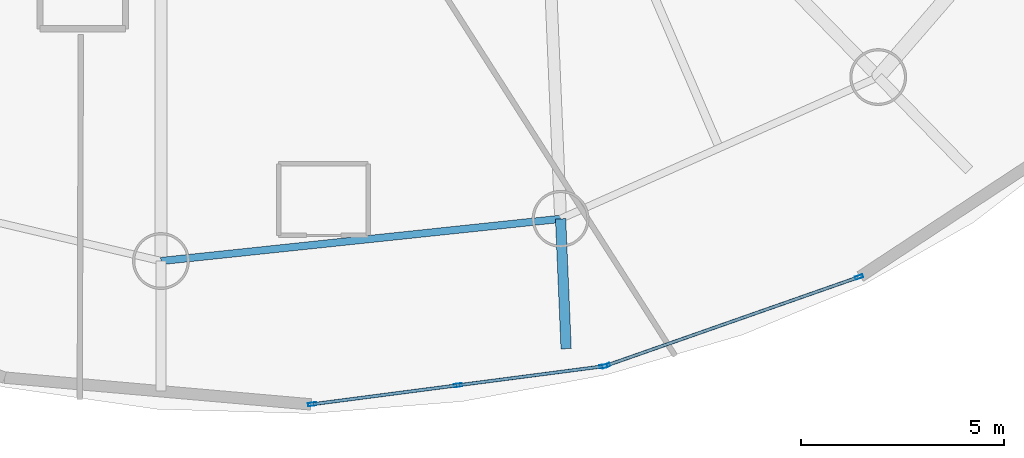
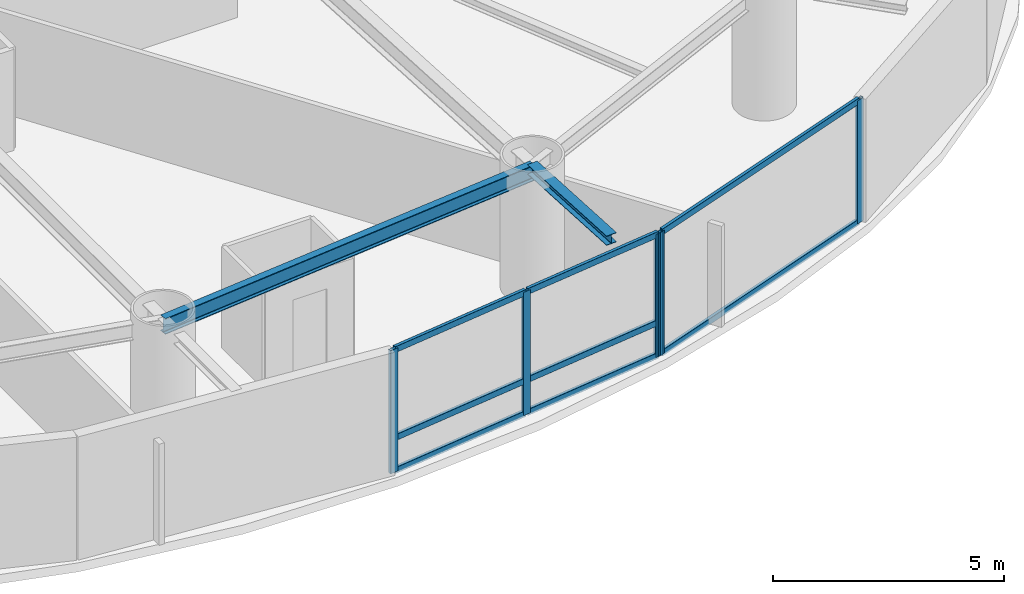
# One storey, part 8 of 22: 13 members, 2 beams, 2 elements without a shape of their own.
"""IFC4 building model written with IfcOpenShell, lengths in metres."""

from ifc_helpers import new_model, si_unit, direction, frame, origin, origin_2d, place, context, subcontext, project, spatial, hollow_rectangle, i_section, extrude, material, layer, layer_set, material_profile, profile_set, type_object, element, aggregate, save


model = new_model("IFC4")

# Units and contexts
model_context = context("Model", 3, precision=1e-05, world=origin(), true_north=direction((0.0, 1.0)))
body_context = subcontext(model_context, "Body", "Model", "MODEL_VIEW")
ifc_project = project(units=[si_unit("LENGTHUNIT", "METRE"), si_unit("AREAUNIT", "SQUARE_METRE"), si_unit("VOLUMEUNIT", "CUBIC_METRE"), si_unit("PLANEANGLEUNIT", "RADIAN"), si_unit("MASSUNIT", "GRAM", prefix="KILO")], contexts=[model_context])

# Site, building, storey
site_placement = place(None, origin())
site = spatial("IfcSite", under=ifc_project, at=site_placement, CompositionType="ELEMENT")
building_placement = place(site_placement, origin())
building = spatial("IfcBuilding", under=site, at=building_placement, Name="Bramvorn Convention Spire", CompositionType="ELEMENT")
storey_placement = place(building_placement, frame((0.0, 0.0, 137.800048828125)))
storey = spatial("IfcBuildingStorey", under=building, at=storey_placement, Name="L34", CompositionType="ELEMENT", Elevation=137.800048828125)

# Beams
ifc_material_1 = material(Name="Steel CSA G40.21 Grade 350 (350W)", Category="steel")
ifc_material_profile_1 = material_profile(ifc_material_1, i_section(OverallWidth=0.25390625, OverallDepth=0.2529296875, WebThickness=0.008544921875, FlangeThickness=0.01416015625, FilletRadius=0.011962890625, at=origin_2d()))
ifc_profile_set_1 = profile_set([ifc_material_profile_1], Name="Steel CSA G40.21 Grade 350 (350W) - W250X73")
beam_type_1 = type_object("IfcBeamType", Name="BM-W250X73", PredefinedType="BEAM", material=ifc_profile_set_1)
beam_1_placement = place(storey_placement, frame((49.76171875, 6.521240234375, 3.133544921875), z_axis=(0.042496892375, -0.999096599003, 0.0), x_axis=(0.999096599003, 0.042496892375, 0.0)))
element("IfcBeam", 1, at=beam_1_placement, inside=storey, type_object=beam_type_1, Name="L34 slab-edge cantilever tip beam MC15", PredefinedType="BEAM", context=body_context, shape_type="SweptSolid", body=[
    extrude(i_section(OverallWidth=0.25390625, OverallDepth=0.2529296875, WebThickness=0.008544921875, FlangeThickness=0.01416015625, FilletRadius=0.011962890625, at=origin_2d()), origin(), (0.0, 0.0, 1.0), 3.199951171875),
])
ifc_material_profile_2 = material_profile(ifc_material_1, i_section(OverallWidth=0.180908203125, OverallDepth=0.4169921875, WebThickness=0.010986328125, FlangeThickness=0.018310546875, FilletRadius=0.01611328125, at=origin_2d()))
ifc_profile_set_2 = profile_set([ifc_material_profile_2], Name="Steel CSA G40.21 Grade 350 (350W) - W410X85")
beam_type_2 = type_object("IfcBeamType", Name="BM-W410X85", PredefinedType="JOIST", material=ifc_profile_set_2)
beam_2_placement = place(storey_placement, frame((39.924072265625, 5.482666015625, 3.051513671875), z_axis=(0.994473491975, 0.104987969596, 0.0), x_axis=(-0.104987969596, 0.994473491975, 0.0)))
element("IfcBeam", 2, at=beam_2_placement, inside=storey, type_object=beam_type_2, Name="L34 mega-column ring beam 14", PredefinedType="JOIST", context=body_context, shape_type="SweptSolid", body=[
    extrude(i_section(OverallWidth=0.180908203125, OverallDepth=0.4169921875, WebThickness=0.010986328125, FlangeThickness=0.018310546875, FilletRadius=0.01611328125, at=origin_2d()), origin(), (0.0, 0.0, 1.0), 9.892333984375),
])

# Curtain wall, members
ifc_material_2 = material(Name="Anodised Bronze Unitised Curtain Wall", Category="aluminium")
ifc_layer = layer(ifc_material_2, 0.179931640625)
ifc_layer_set = layer_set([ifc_layer], Name="Anodised Bronze Unitised Curtain Wall - CW-HTL-FRIT")
curtain_wall_type = type_object("IfcCurtainWallType", Name="CW-HTL-FRIT", PredefinedType="USERDEFINED", material=ifc_layer_set)
curtain_wall_1_placement = place(storey_placement, origin())
curtain_wall_1 = element("IfcCurtainWall", 3, at=curtain_wall_1_placement, inside=storey, type_object=curtain_wall_type, Name="L34 fritted glass curtain wall 21", ObjectType="UNITISED CURTAIN WALL", PredefinedType="USERDEFINED")
ifc_material_3 = material(Name="Anodised Bronze Aluminium 6063-T6", Category="aluminium")
ifc_material_profile_3 = material_profile(ifc_material_3, hollow_rectangle(XDim=0.080078125, YDim=0.199951171875, WallThickness=0.00390625, InnerFilletRadius=0.0009765625, OuterFilletRadius=0.00390625, at=origin_2d()))
ifc_profile_set_3 = profile_set([ifc_material_profile_3], Name="Anodised Bronze Aluminium 6063-T6 - CWM80X200")
member_type_1 = type_object("IfcMemberType", Name="CW-MUL-180", PredefinedType="MULLION", material=ifc_profile_set_3)
member_1_placement = place(storey_placement, frame((50.818359375, 2.891845703125, 0.0), z_axis=(0.0, 0.0, 1.0), x_axis=(0.129240101534, -0.991613329961, 0.0)))
member_1 = element("IfcMember", 4, at=member_1_placement, type_object=member_type_1, Name="CW2 mullion 1", PredefinedType="MULLION", context=body_context, shape_type="SweptSolid", body=[
    extrude(hollow_rectangle(XDim=0.080078125, YDim=0.199951171875, WallThickness=0.00390625, InnerFilletRadius=0.0009765625, OuterFilletRadius=0.00390625, at=origin_2d()), origin(), (0.0, 0.0, 1.0), 3.260009765625),
])
member_2_placement = place(storey_placement, frame((47.23291015625, 2.424560546875, 0.0), z_axis=(0.0, 0.0, 1.0), x_axis=(0.129240101534, -0.991613329961, 0.0)))
member_2 = element("IfcMember", 5, at=member_2_placement, type_object=member_type_1, Name="CW2 mullion 2", PredefinedType="MULLION", context=body_context, shape_type="SweptSolid", body=[
    extrude(hollow_rectangle(XDim=0.080078125, YDim=0.199951171875, WallThickness=0.00390625, InnerFilletRadius=0.0009765625, OuterFilletRadius=0.00390625, at=origin_2d()), origin(), (0.0, 0.0, 1.0), 3.260009765625),
])
member_3_placement = place(storey_placement, frame((43.647216796875, 1.957275390625, 0.0), z_axis=(0.0, 0.0, 1.0), x_axis=(0.129240101534, -0.991613329961, 0.0)))
member_3 = element("IfcMember", 6, at=member_3_placement, type_object=member_type_1, Name="CW2 mullion 3", PredefinedType="MULLION", context=body_context, shape_type="SweptSolid", body=[
    extrude(hollow_rectangle(XDim=0.080078125, YDim=0.199951171875, WallThickness=0.00390625, InnerFilletRadius=0.0009765625, OuterFilletRadius=0.00390625, at=origin_2d()), origin(), (0.0, 0.0, 1.0), 3.260009765625),
])

curtain_wall_2_placement = place(storey_placement, origin())
curtain_wall_2 = element("IfcCurtainWall", 7, at=curtain_wall_2_placement, inside=storey, type_object=curtain_wall_type, Name="L34 fritted glass curtain wall 22", ObjectType="UNITISED CURTAIN WALL", PredefinedType="USERDEFINED")
member_4_placement = place(storey_placement, frame((57.10986328125, 5.090087890625, 0.0), z_axis=(0.0, 0.0, 1.0), x_axis=(0.330724653713, -0.943727292933, 0.0)))
member_4 = element("IfcMember", 8, at=member_4_placement, type_object=member_type_1, Name="CW2 mullion 1", PredefinedType="MULLION", context=body_context, shape_type="SweptSolid", body=[
    extrude(hollow_rectangle(XDim=0.080078125, YDim=0.199951171875, WallThickness=0.00390625, InnerFilletRadius=0.0009765625, OuterFilletRadius=0.00390625, at=origin_2d()), origin(), (0.0, 0.0, 1.0), 3.260009765625),
])
member_5_placement = place(storey_placement, frame((50.87646484375, 2.90576171875, 0.0), z_axis=(0.0, 0.0, 1.0), x_axis=(0.330724653713, -0.943727292933, 0.0)))
member_5 = element("IfcMember", 9, at=member_5_placement, type_object=member_type_1, Name="CW2 mullion 2", PredefinedType="MULLION", context=body_context, shape_type="SweptSolid", body=[
    extrude(hollow_rectangle(XDim=0.080078125, YDim=0.199951171875, WallThickness=0.00390625, InnerFilletRadius=0.0009765625, OuterFilletRadius=0.00390625, at=origin_2d()), origin(), (0.0, 0.0, 1.0), 3.260009765625),
])

# Member
ifc_material_profile_4 = material_profile(ifc_material_3, hollow_rectangle(XDim=0.080078125, YDim=0.159912109375, WallThickness=0.00390625, InnerFilletRadius=0.0009765625, OuterFilletRadius=0.00390625, at=origin_2d()))
ifc_profile_set_4 = profile_set([ifc_material_profile_4], Name="Anodised Bronze Aluminium 6063-T6 - CWT80X160")
member_type_2 = type_object("IfcMemberType", Name="CW-TRN-150", PredefinedType="USERDEFINED", material=ifc_profile_set_4)
member_6_placement = place(storey_placement, frame((50.788818359375, 2.887939453125, 0.030029296875), z_axis=(-0.991616865584, -0.129212971061, 0.0), x_axis=(0.129212971061, -0.991616865584, 0.0)))
member_6 = element("IfcMember", 10, at=member_6_placement, type_object=member_type_2, Name="CW2 transom 1.1", ObjectType="TRANSOM", PredefinedType="USERDEFINED", context=body_context, shape_type="SweptSolid", body=[
    extrude(hollow_rectangle(XDim=0.080078125, YDim=0.159912109375, WallThickness=0.00390625, InnerFilletRadius=0.0009765625, OuterFilletRadius=0.00390625, at=origin_2d()), origin(), (0.0, 0.0, 1.0), 3.555908203125),
])

member_7_placement = place(storey_placement, frame((50.788818359375, 2.887939453125, 0.89990234375), z_axis=(-0.991616865584, -0.129212971061, 0.0), x_axis=(0.129212971061, -0.991616865584, 0.0)))
member_7 = element("IfcMember", 11, at=member_7_placement, type_object=member_type_2, Name="CW2 transom 1.2", ObjectType="TRANSOM", PredefinedType="USERDEFINED", context=body_context, shape_type="SweptSolid", body=[
    extrude(hollow_rectangle(XDim=0.080078125, YDim=0.159912109375, WallThickness=0.00390625, InnerFilletRadius=0.0009765625, OuterFilletRadius=0.00390625, at=origin_2d()), origin(), (0.0, 0.0, 1.0), 3.555908203125),
])

member_8_placement = place(storey_placement, frame((50.788818359375, 2.887939453125, 3.22998046875), z_axis=(-0.991616865584, -0.129212971061, 0.0), x_axis=(0.129212971061, -0.991616865584, 0.0)))
member_8 = element("IfcMember", 12, at=member_8_placement, type_object=member_type_2, Name="CW2 transom 1.3", ObjectType="TRANSOM", PredefinedType="USERDEFINED", context=body_context, shape_type="SweptSolid", body=[
    extrude(hollow_rectangle(XDim=0.080078125, YDim=0.159912109375, WallThickness=0.00390625, InnerFilletRadius=0.0009765625, OuterFilletRadius=0.00390625, at=origin_2d()), origin(), (0.0, 0.0, 1.0), 3.555908203125),
])

member_9_placement = place(storey_placement, frame((47.203125, 2.420654296875, 0.030029296875), z_axis=(-0.991616865584, -0.129212971061, 0.0), x_axis=(0.129212971061, -0.991616865584, 0.0)))
member_9 = element("IfcMember", 13, at=member_9_placement, type_object=member_type_2, Name="CW2 transom 2.1", ObjectType="TRANSOM", PredefinedType="USERDEFINED", context=body_context, shape_type="SweptSolid", body=[
    extrude(hollow_rectangle(XDim=0.080078125, YDim=0.159912109375, WallThickness=0.00390625, InnerFilletRadius=0.0009765625, OuterFilletRadius=0.00390625, at=origin_2d()), origin(), (0.0, 0.0, 1.0), 3.555908203125),
])

member_10_placement = place(storey_placement, frame((47.203125, 2.420654296875, 0.89990234375), z_axis=(-0.991616865584, -0.129212971061, 0.0), x_axis=(0.129212971061, -0.991616865584, 0.0)))
member_10 = element("IfcMember", 14, at=member_10_placement, type_object=member_type_2, Name="CW2 transom 2.2", ObjectType="TRANSOM", PredefinedType="USERDEFINED", context=body_context, shape_type="SweptSolid", body=[
    extrude(hollow_rectangle(XDim=0.080078125, YDim=0.159912109375, WallThickness=0.00390625, InnerFilletRadius=0.0009765625, OuterFilletRadius=0.00390625, at=origin_2d()), origin(), (0.0, 0.0, 1.0), 3.555908203125),
])

member_11_placement = place(storey_placement, frame((47.203125, 2.420654296875, 3.22998046875), z_axis=(-0.991616865584, -0.129212971061, 0.0), x_axis=(0.129212971061, -0.991616865584, 0.0)))
member_11 = element("IfcMember", 15, at=member_11_placement, type_object=member_type_2, Name="CW2 transom 2.3", ObjectType="TRANSOM", PredefinedType="USERDEFINED", context=body_context, shape_type="SweptSolid", body=[
    extrude(hollow_rectangle(XDim=0.080078125, YDim=0.159912109375, WallThickness=0.00390625, InnerFilletRadius=0.0009765625, OuterFilletRadius=0.00390625, at=origin_2d()), origin(), (0.0, 0.0, 1.0), 3.555908203125),
])

aggregate(curtain_wall_1, [member_1, member_2, member_3, member_6, member_7, member_8, member_9, member_10, member_11])

member_12_placement = place(storey_placement, frame((57.08154296875, 5.080322265625, 0.030029296875), z_axis=(-0.943718704411, -0.330749160158, 0.0), x_axis=(0.330749160158, -0.943718704411, 0.0)))
member_12 = element("IfcMember", 16, at=member_12_placement, type_object=member_type_2, Name="CW2 transom 1.1", ObjectType="TRANSOM", PredefinedType="USERDEFINED", context=body_context, shape_type="SweptSolid", body=[
    extrude(hollow_rectangle(XDim=0.080078125, YDim=0.159912109375, WallThickness=0.00390625, InnerFilletRadius=0.0009765625, OuterFilletRadius=0.00390625, at=origin_2d()), origin(), (0.0, 0.0, 1.0), 6.545166015625),
])

member_13_placement = place(storey_placement, frame((57.08154296875, 5.080322265625, 3.22998046875), z_axis=(-0.943718704411, -0.330749160158, 0.0), x_axis=(0.330749160158, -0.943718704411, 0.0)))
member_13 = element("IfcMember", 17, at=member_13_placement, type_object=member_type_2, Name="CW2 transom 1.2", ObjectType="TRANSOM", PredefinedType="USERDEFINED", context=body_context, shape_type="SweptSolid", body=[
    extrude(hollow_rectangle(XDim=0.080078125, YDim=0.159912109375, WallThickness=0.00390625, InnerFilletRadius=0.0009765625, OuterFilletRadius=0.00390625, at=origin_2d()), origin(), (0.0, 0.0, 1.0), 6.545166015625),
])

aggregate(curtain_wall_2, [member_4, member_5, member_12, member_13])

save(model, "model.ifc")
